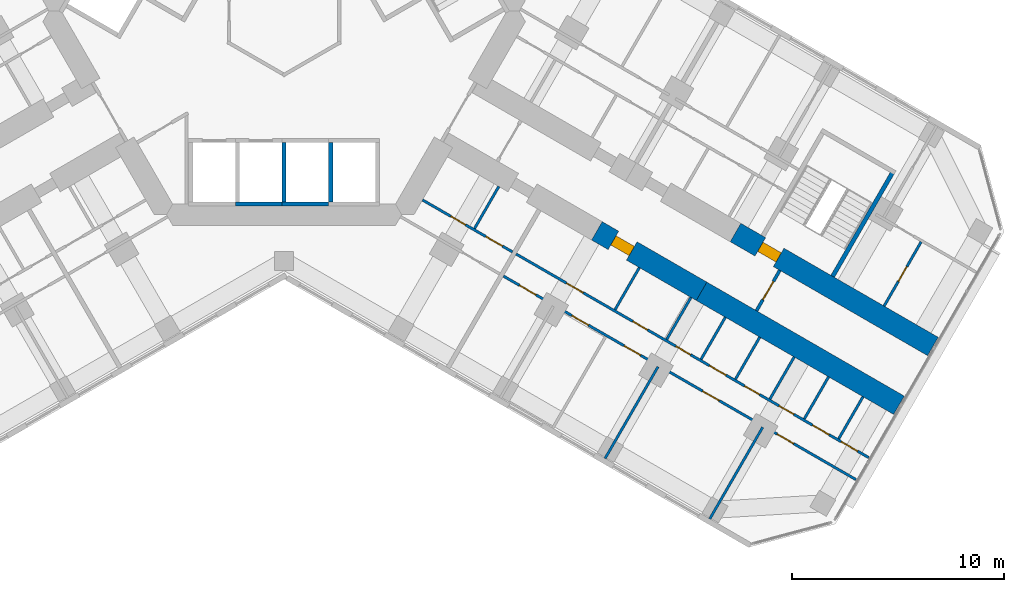
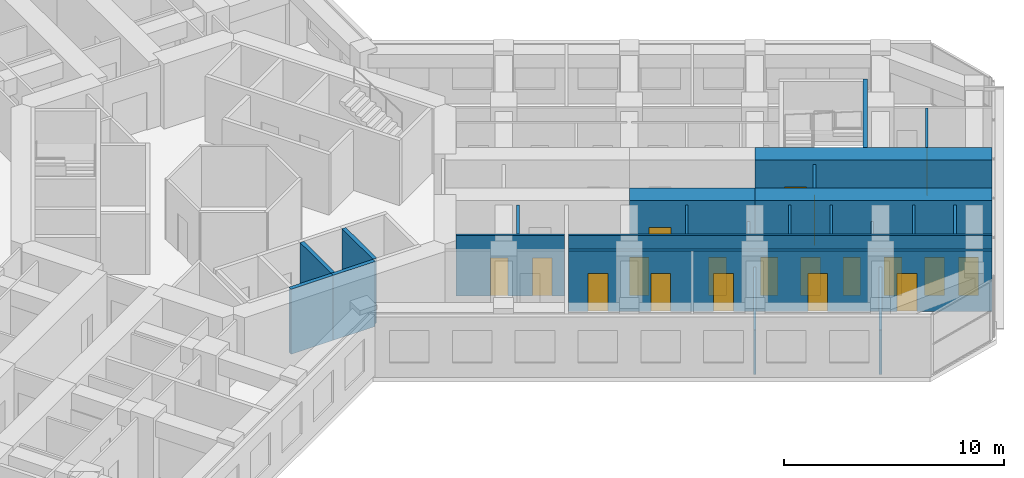
# One storey, part 14 of 21: 23 walls, 19 doors, 19 openings.
"""IFC4 building model written with IfcOpenShell, lengths in metres."""

import ifcopenshell
import ifcopenshell.guid

model = None  # the IFC model being written
_history = None  # IfcOwnerHistory: only IFC2X3 demands one
_inside = {}  # id of a spatial element -> (the spatial element, [elements in it])
_under = {}  # id of a project, library or spatial element -> (it, [spatial elements below it])
_declared = {}  # id of a project -> (the project, [libraries it declares])
_typed = {}  # id of a type object -> (the type object, [elements of that type])
_made_of = {}  # id of a material, layer set ... -> (it, [elements and type objects made of it])


def new_model(schema):
    """Start an empty IFC model of exactly this schema.

    Asked for "IFC4X3", IfcOpenShell would pick the latest addendum, in which some entities
    have other attributes; the version numbers below select the first issue.
    IFC2X3 requires an IfcOwnerHistory on every rooted entity: one is made here for all.
    """
    global model, _history
    if schema == "IFC4X3":
        model = ifcopenshell.file(schema_version=(4, 3, 0, 0))
    else:
        model = ifcopenshell.file(schema=schema)
    _inside.clear()
    _under.clear()
    _declared.clear()
    _typed.clear()
    _made_of.clear()
    _history = None
    if model.schema == "IFC2X3":
        org = make("IfcOrganization", Name="unknown")
        user = make(
            "IfcPersonAndOrganization",
            ThePerson=make("IfcPerson", FamilyName="unknown"),
            TheOrganization=org,
        )
        app = make(
            "IfcApplication",
            ApplicationDeveloper=org,
            Version="unknown",
            ApplicationFullName="unknown",
            ApplicationIdentifier="unknown",
        )
        _history = make(
            "IfcOwnerHistory",
            OwningUser=user,
            OwningApplication=app,
            ChangeAction="ADDED",
            CreationDate=0,
        )
    return model


def make(cls, **values):
    """One entity of the class cls with the attributes given. An attribute that is None is left unset."""
    return model.create_entity(
        cls, **{name: value for name, value in values.items() if value is not None}
    )


def rooted(cls, **values):
    """An entity with a GlobalId (a new one), such as an element, a storey or a relation."""
    return make(cls, GlobalId=ifcopenshell.guid.new(), OwnerHistory=_history, **values)


def si_unit(unit_type, name, prefix=None):
    """IfcSIUnit, for example si_unit("LENGTHUNIT", "METRE", prefix="MILLI")."""
    return make("IfcSIUnit", UnitType=unit_type, Prefix=prefix, Name=name)


def assignment(units):
    """IfcUnitAssignment: the units of a project."""
    return None if units is None else make("IfcUnitAssignment", Units=units)


def point(xyz):
    """IfcCartesianPoint."""
    return None if xyz is None else make("IfcCartesianPoint", Coordinates=xyz)


def direction(xyz):
    """IfcDirection."""
    return None if xyz is None else make("IfcDirection", DirectionRatios=xyz)


def frame(location, z_axis=None, x_axis=None):
    """IfcAxis2Placement3D, a coordinate frame: its origin and axes. An axis left out is left unset."""
    return make(
        "IfcAxis2Placement3D",
        Location=point(location),
        Axis=direction(z_axis),
        RefDirection=direction(x_axis),
    )


def frame_2d(location, x_axis=None):
    """IfcAxis2Placement2D, a coordinate frame in the plane: its origin and x axis."""
    return make(
        "IfcAxis2Placement2D", Location=point(location), RefDirection=direction(x_axis)
    )


def origin():
    """The frame at (0, 0, 0) with its axes left unset."""
    return frame((0.0, 0.0, 0.0))


def place(relative_to, where):
    """IfcLocalPlacement: puts the frame where relative to a parent placement (None: the world)."""
    return make(
        "IfcLocalPlacement", PlacementRelTo=relative_to, RelativePlacement=where
    )


def context(
    kind, dimensions, precision=None, world=None, true_north=None, identifier=None
):
    """IfcGeometricRepresentationContext, for example the 3D "Model" context."""
    return make(
        "IfcGeometricRepresentationContext",
        ContextIdentifier=identifier,
        ContextType=kind,
        CoordinateSpaceDimension=dimensions,
        Precision=precision,
        WorldCoordinateSystem=world,
        TrueNorth=true_north,
    )


def subcontext(parent, identifier, kind, view, scale=None):
    """IfcGeometricRepresentationSubContext, for example "Body" below "Model"."""
    return make(
        "IfcGeometricRepresentationSubContext",
        ContextIdentifier=identifier,
        ContextType=kind,
        ParentContext=parent,
        TargetScale=scale,
        TargetView=view,
    )


def project(units=None, contexts=None):
    """IfcProject with its units and contexts."""
    return rooted(
        "IfcProject",
        Name="project",
        RepresentationContexts=contexts,
        UnitsInContext=assignment(units),
    )


def spatial(cls, under=None, at=None, **own):
    """A site, building, storey or space (cls), placed at a placement, below another one or the project."""
    s = rooted(cls, ObjectPlacement=at, **own)
    if under is not None:
        _under.setdefault(under.id(), (under, []))[1].append(s)
    return s


def profile(cls, at=None, kind="AREA", **sizes):
    """A parametric profile (cls). Its sizes go by their IFC names, for example OverallWidth=200.0."""
    return make(cls, ProfileType=kind, Position=at, **sizes)


def rectangle(**sizes):
    """IfcRectangleProfileDef."""
    return profile("IfcRectangleProfileDef", **sizes)


def extrude(swept, where, along, depth):
    """IfcExtrudedAreaSolid: the profile swept, set in the frame where, extruded along a direction by depth."""
    return make(
        "IfcExtrudedAreaSolid",
        SweptArea=swept,
        Position=where,
        ExtrudedDirection=direction(along),
        Depth=depth,
    )


def shape(context_of_items, identifier, shape_type, items):
    """IfcShapeRepresentation: the items that make up one representation, for example the "Body"."""
    return make(
        "IfcShapeRepresentation",
        ContextOfItems=context_of_items,
        RepresentationIdentifier=identifier,
        RepresentationType=shape_type,
        Items=items,
    )


def material(Name=None, Category=None):
    """IfcMaterial."""
    return make("IfcMaterial", Name=Name, Category=Category)


def layer(
    of_material, thickness, ventilated=None, Name=None, Category=None, Priority=None
):
    """IfcMaterialLayer: one layer of a wall or slab, of a material (None: an air gap)."""
    return make(
        "IfcMaterialLayer",
        Material=of_material,
        LayerThickness=thickness,
        IsVentilated=ventilated,
        Name=Name,
        Category=Category,
        Priority=Priority,
    )


def layer_set(layers, Name=None):
    """IfcMaterialLayerSet."""
    return make("IfcMaterialLayerSet", MaterialLayers=layers, LayerSetName=Name)


def made_of(thing, what):
    """Note that an element or type object is made of a material, layer set ...; save() writes the relation."""
    if what is not None:
        _made_of.setdefault(what.id(), (what, []))[1].append(thing)
    return thing


def type_object(cls, material=None, **own):
    """A type object (cls), such as IfcWallType, which elements share."""
    return made_of(rooted(cls, **own), material)


def element(
    cls,
    number,
    at=None,
    inside=None,
    cuts=None,
    type_object=None,
    material=None,
    context=None,
    identifier="Body",
    shape_type=None,
    held_by="IfcProductDefinitionShape",
    body=None,
    shapes=None,
    **own,
):
    """One element of the class cls, such as IfcWall. Its Tag is "e" and its number.

    at: its placement. inside: the storey or other place that contains it. cuts: it is an
    opening in that element (IfcRelVoidsElement). A single representation is given by context,
    identifier, shape_type and body (its items); several are given by shapes. held_by: the class
    of the entity that holds the representations. save() writes the other relations.
    """
    e = rooted(cls, Tag="e%d" % number, ObjectPlacement=at, **own)
    if body is not None:
        shapes = [shape(context, identifier, shape_type, body)]
    if shapes is not None:
        e.Representation = make(held_by, Representations=shapes)
    if inside is not None:
        _inside.setdefault(inside.id(), (inside, []))[1].append(e)
    if cuts is not None:
        rooted(
            "IfcRelVoidsElement", RelatingBuildingElement=cuts, RelatedOpeningElement=e
        )
    if type_object is not None:
        _typed.setdefault(type_object.id(), (type_object, []))[1].append(e)
    return made_of(e, material)


def fill(opening, filler):
    """IfcRelFillsElement: the door or window that sits in an opening."""
    return rooted(
        "IfcRelFillsElement",
        RelatingOpeningElement=opening,
        RelatedBuildingElement=filler,
    )


def aggregate(whole, parts):
    """IfcRelAggregates: a whole, such as a stair, and the parts it consists of."""
    return rooted("IfcRelAggregates", RelatingObject=whole, RelatedObjects=parts)


def save(model, path):
    """Write the relations noted so far, then the file.

    IfcRelAggregates (storeys below a building ...), IfcRelContainedInSpatialStructure (elements
    in a storey), IfcRelDefinesByType, IfcRelAssociatesMaterial and IfcRelDeclares: one each for
    every whole, place, type object, material and project.
    """
    for whole, parts in _under.values():
        aggregate(whole, parts)
    for where, things in _inside.values():
        rooted(
            "IfcRelContainedInSpatialStructure",
            RelatedElements=things,
            RelatingStructure=where,
        )
    for kind, things in _typed.values():
        rooted("IfcRelDefinesByType", RelatedObjects=things, RelatingType=kind)
    for what, things in _made_of.values():
        rooted("IfcRelAssociatesMaterial", RelatedObjects=things, RelatingMaterial=what)
    for by, libraries in _declared.values():
        rooted("IfcRelDeclares", RelatingContext=by, RelatedDefinitions=libraries)
    model.write(path)


model = new_model("IFC4")

# Units and contexts
model_context = context("Model", 3, precision=1e-05, world=origin(), true_north=direction((0.0, 1.0)))
body_context = subcontext(model_context, "Body", "Model", "MODEL_VIEW")
ifc_project = project(units=[si_unit("LENGTHUNIT", "METRE"), si_unit("AREAUNIT", "SQUARE_METRE"), si_unit("VOLUMEUNIT", "CUBIC_METRE"), si_unit("PLANEANGLEUNIT", "RADIAN"), si_unit("MASSUNIT", "GRAM", prefix="KILO")], contexts=[model_context])

# Site, building, storey
site_placement = place(None, origin())
site = spatial("IfcSite", under=ifc_project, at=site_placement, CompositionType="ELEMENT")
building_placement = place(site_placement, origin())
building = spatial("IfcBuilding", under=site, at=building_placement, Name="Kosmar Iwan School Tower", CompositionType="ELEMENT")
storey_placement = place(building_placement, frame((0.0, 0.0, 84.39990234375)))
storey = spatial("IfcBuildingStorey", under=building, at=storey_placement, Name="L20", CompositionType="ELEMENT", Elevation=84.39990234375)

# Wall, opening, door
ifc_material_1 = material(Name="Concrete C50/60", Category="concrete")
ifc_layer_1 = layer(ifc_material_1, 1.0)
ifc_layer_set_1 = layer_set([ifc_layer_1], Name="Corridor buttress wall 1000")
wall_type_1 = type_object("IfcWallType", Name="Corridor buttress wall 1000", PredefinedType="SHEAR", material=ifc_layer_set_1)
wall_1_placement = place(storey_placement, frame((21.281494140625, -10.439453125, 0.0), z_axis=(0.0, 0.0, 1.0), x_axis=(0.866032345022, -0.499987977232, 0.0)))
wall_1 = element("IfcWall", 1, at=wall_1_placement, inside=storey, type_object=wall_type_1, Name="Corridor wall CL bay 3", PredefinedType="SHEAR", context=body_context, shape_type="SweptSolid", body=[
    extrude(rectangle(XDim=10.744873046875, YDim=1.0, at=frame_2d((5.37255859375, 0.0))), origin(), (0.0, 0.0, 1.0), 3.60009765625),
])
opening_1_placement = place(wall_1_placement, frame((1.35009765625, 0.0, 0.0)))
opening_1 = element("IfcOpeningElement", 2, at=opening_1_placement, cuts=wall_1, Name="Opening D6", PredefinedType="OPENING", context=body_context, shape_type="SweptSolid", body=[
    extrude(rectangle(XDim=1.0, YDim=2.10009765625, at=frame_2d((0.5, 1.050048828125))), frame((0.0, 0.511962890625, 0.0), z_axis=(0.0, -1.0, 0.0), x_axis=(1.0, 0.0, 0.0)), (0.0, 0.0, 1.0), 1.02392578125),
])
ifc_material_2 = material(Name="Steel fire door", Category="steel")
door_type_1 = type_object("IfcDoorType", Name="Stair door 1000x2100", OperationType="SINGLE_SWING_LEFT", PredefinedType="DOOR", material=ifc_material_2)
door_1_placement = place(opening_1_placement, origin())
door_1 = element("IfcDoor", 3, at=door_1_placement, inside=storey, type_object=door_type_1, Name="Stair WS3 door L20", OperationType="SINGLE_SWING_LEFT", OverallHeight=2.10009765625, OverallWidth=1.0, PredefinedType="DOOR", context=body_context, shape_type="SweptSolid", body=[
    extrude(rectangle(XDim=1.0, YDim=2.10009765625, at=frame_2d((0.5, 1.050048828125))), frame((0.0, 0.25, 0.0), z_axis=(0.0, -1.0, 0.0), x_axis=(1.0, 0.0, 0.0)), (0.0, 0.0, 1.0), 0.5),
])
fill(opening_1, door_1)

wall_2_placement = place(storey_placement, frame((14.7451171875, -10.360595703125, 0.0), z_axis=(0.0, 0.0, 1.0), x_axis=(0.866015111908, -0.50001782563, 0.0)))
wall_2 = element("IfcWall", 4, at=wall_2_placement, inside=storey, type_object=wall_type_1, Name="Corridor wall CR bay 2", PredefinedType="SHEAR", context=body_context, shape_type="SweptSolid", body=[
    extrude(rectangle(XDim=5.699951171875, YDim=1.0, at=frame_2d((2.85009765625, 0.0))), origin(), (0.0, 0.0, 1.0), 3.60009765625),
])
opening_2_placement = place(wall_2_placement, frame((0.89990234375, 0.0, 0.0)))
opening_2 = element("IfcOpeningElement", 5, at=opening_2_placement, cuts=wall_2, Name="Opening D1", PredefinedType="OPENING", context=body_context, shape_type="SweptSolid", body=[
    extrude(rectangle(XDim=1.0, YDim=2.10009765625, at=frame_2d((0.5, 1.050048828125))), frame((0.0, 0.511962890625, 0.0), z_axis=(0.0, -1.0, 0.0), x_axis=(1.0, 0.0, 0.0)), (0.0, 0.0, 1.0), 1.02392578125),
])
ifc_material_3 = material(Name="Timber fire door in steel frame", Category="steel")
door_type_2 = type_object("IfcDoorType", Name="Flat entrance door 1000x2100", OperationType="SINGLE_SWING_LEFT", PredefinedType="DOOR", material=ifc_material_3)
door_2_placement = place(opening_2_placement, origin())
door_2 = element("IfcDoor", 6, at=door_2_placement, inside=storey, type_object=door_type_2, Name="Flat L20-CR2 entrance door", OperationType="SINGLE_SWING_LEFT", OverallHeight=2.10009765625, OverallWidth=1.0, PredefinedType="DOOR", context=body_context, shape_type="SweptSolid", body=[
    extrude(rectangle(XDim=1.0, YDim=2.10009765625, at=frame_2d((0.5, 1.050048828125))), frame((0.0, 0.25, 0.0), z_axis=(0.0, -1.0, 0.0), x_axis=(1.0, 0.0, 0.0)), (0.0, 0.0, 1.0), 0.5),
])
fill(opening_2, door_2)

# Wall
wall_3_placement = place(storey_placement, frame((19.681396484375, -13.210693359375, 0.0), z_axis=(0.0, 0.0, 1.0), x_axis=(0.866028186671, -0.499995179869, 0.0)))
element("IfcWall", 7, at=wall_3_placement, inside=storey, type_object=wall_type_1, Name="Corridor wall CR bay 3", PredefinedType="SHEAR", context=body_context, shape_type="SweptSolid", body=[
    extrude(rectangle(XDim=10.7451171875, YDim=1.0, at=frame_2d((5.37255859375, 0.0))), origin(), (0.0, 0.0, 1.0), 3.60009765625),
])

# Wall, opening, door
ifc_material_4 = material(Name="Gypsum board on steel studs, fire-rated", Category="steel")
ifc_layer_2 = layer(ifc_material_4, 0.14990234375)
ifc_layer_set_2 = layer_set([ifc_layer_2], Name="Corridor end wall 150")
wall_type_2 = type_object("IfcWallType", Name="Corridor end wall 150", PredefinedType="PARTITIONING", material=ifc_layer_set_2)
wall_4_placement = place(storey_placement, frame((22.269775390625, -14.127685546875, 0.0), z_axis=(0.0, 0.0, 1.0), x_axis=(0.50002983664, 0.866008176907, 0.0)))
wall_4 = element("IfcWall", 8, at=wall_4_placement, inside=storey, type_object=wall_type_2, Name="Partition L20-C-CE", PredefinedType="PARTITIONING", context=body_context, shape_type="SweptSolid", body=[
    extrude(rectangle(XDim=2.199951171875, YDim=0.14990234375, at=frame_2d((1.10009765625, 0.0))), origin(), (0.0, 0.0, 1.0), 3.35009765625),
])
opening_3_placement = place(wall_4_placement, frame((0.60009765625, 0.0, 0.0)))
opening_3 = element("IfcOpeningElement", 9, at=opening_3_placement, cuts=wall_4, Name="Opening D13", PredefinedType="OPENING", context=body_context, shape_type="SweptSolid", body=[
    extrude(rectangle(XDim=1.0, YDim=2.10009765625, at=frame_2d((0.5, 1.050048828125))), frame((0.0, 0.0869140625, 0.0), z_axis=(0.0, -1.0, 0.0), x_axis=(1.0, 0.0, 0.0)), (0.0, 0.0, 1.0), 0.173828125),
])
ifc_material_5 = material(Name="Timber fire door with vision panel", Category="wood")
door_type_3 = type_object("IfcDoorType", Name="Corridor end door 1000x2100", OperationType="SINGLE_SWING_LEFT", PredefinedType="DOOR", material=ifc_material_5)
door_3_placement = place(opening_3_placement, origin())
door_3 = element("IfcDoor", 10, at=door_3_placement, inside=storey, type_object=door_type_3, Name="Hobby workshop door L20-C", OperationType="SINGLE_SWING_LEFT", OverallHeight=2.10009765625, OverallWidth=1.0, PredefinedType="DOOR", context=body_context, shape_type="SweptSolid", body=[
    extrude(rectangle(XDim=1.0, YDim=2.10009765625, at=frame_2d((0.5, 1.050048828125))), frame((0.0, 0.02490234375, 0.0), z_axis=(0.0, -1.0, 0.0), x_axis=(1.0, 0.0, 0.0)), (0.0, 0.0, 1.0), 0.050048828125),
])
fill(opening_3, door_3)

ifc_material_6 = material(Name="Gypsum board on steel studs", Category="steel")
ifc_layer_3 = layer(ifc_material_6, 0.1201171875)
ifc_layer_set_3 = layer_set([ifc_layer_3], Name="Dwelling partition 120")
wall_type_3 = type_object("IfcWallType", Name="Dwelling partition 120", PredefinedType="PARTITIONING", material=ifc_layer_set_3)
wall_5_placement = place(storey_placement, frame((28.286376953125, -13.90625, 0.0), z_axis=(0.0, 0.0, 1.0), x_axis=(0.50002117804, 0.866013176292, 0.0)))
wall_5 = element("IfcWall", 11, at=wall_5_placement, inside=storey, type_object=wall_type_3, Name="Partition L20-CL2-TY", PredefinedType="PARTITIONING", context=body_context, shape_type="SweptSolid", body=[
    extrude(rectangle(XDim=3.489990234375, YDim=0.1201171875, at=frame_2d((1.7451171875, 0.0))), origin(), (0.0, 0.0, 1.0), 3.35009765625),
])
opening_4_placement = place(wall_5_placement, frame((1.344970703125, 0.0, 0.0)))
opening_4 = element("IfcOpeningElement", 12, at=opening_4_placement, cuts=wall_5, Name="Opening D3", PredefinedType="OPENING", context=body_context, shape_type="SweptSolid", body=[
    extrude(rectangle(XDim=0.800048828125, YDim=2.10009765625, at=frame_2d((0.39990234375, 1.050048828125))), frame((0.0, 0.072021484375, 0.0), z_axis=(0.0, -1.0, 0.0), x_axis=(1.0, 0.0, 0.0)), (0.0, 0.0, 1.0), 0.14404296875),
])
ifc_material_7 = material(Name="Timber door in timber frame", Category="wood")
door_type_4 = type_object("IfcDoorType", Name="Sanitary room door 800x2100", OperationType="SINGLE_SWING_LEFT", PredefinedType="DOOR", material=ifc_material_7)
door_4_placement = place(opening_4_placement, origin())
door_4 = element("IfcDoor", 13, at=door_4_placement, inside=storey, type_object=door_type_4, Name="Shower room door L20-CL2-T4", OperationType="SINGLE_SWING_RIGHT", OverallHeight=2.10009765625, OverallWidth=0.800048828125, PredefinedType="DOOR", context=body_context, shape_type="SweptSolid", body=[
    extrude(rectangle(XDim=0.800048828125, YDim=2.10009765625, at=frame_2d((0.39990234375, 1.050048828125))), frame((0.0, 0.02490234375, 0.0), z_axis=(0.0, -1.0, 0.0), x_axis=(1.0, 0.0, 0.0)), (0.0, 0.0, 1.0), 0.050048828125),
])
fill(opening_4, door_4)

# Wall, openings, doors
wall_6_placement = place(storey_placement, frame((6.521728515625, -8.90380859375, 0.0), z_axis=(0.0, 0.0, 1.0), x_axis=(0.866036242063, -0.49998122708, 0.0)))
wall_6 = element("IfcWall", 14, at=wall_6_placement, inside=storey, type_object=wall_type_3, Name="Partition L20-CR1-W1", PredefinedType="PARTITIONING", context=body_context, shape_type="SweptSolid", body=[
    extrude(rectangle(XDim=4.900146484375, YDim=0.1201171875, at=frame_2d((2.4501953125, 0.0))), origin(), (0.0, 0.0, 1.0), 3.35009765625),
])
opening_5_placement = place(wall_6_placement, frame((1.550048828125, 0.0, 0.0)))
opening_5 = element("IfcOpeningElement", 15, at=opening_5_placement, cuts=wall_6, Name="Opening D3", PredefinedType="OPENING", context=body_context, shape_type="SweptSolid", body=[
    extrude(rectangle(XDim=0.800048828125, YDim=2.10009765625, at=frame_2d((0.39990234375, 1.050048828125))), frame((0.0, 0.072021484375, 0.0), z_axis=(0.0, -1.0, 0.0), x_axis=(1.0, 0.0, 0.0)), (0.0, 0.0, 1.0), 0.14404296875),
])
opening_6_placement = place(wall_6_placement, frame((3.449951171875, 0.0, 0.0)))
opening_6 = element("IfcOpeningElement", 16, at=opening_6_placement, cuts=wall_6, Name="Opening D2", PredefinedType="OPENING", context=body_context, shape_type="SweptSolid", body=[
    extrude(rectangle(XDim=0.89990234375, YDim=2.10009765625, at=frame_2d((0.449951171875, 1.050048828125))), frame((0.0, 0.072021484375, 0.0), z_axis=(0.0, -1.0, 0.0), x_axis=(1.0, 0.0, 0.0)), (0.0, 0.0, 1.0), 0.14404296875),
])
ifc_material_8 = material(Name="Timber door in timber frame", Category="wood")
door_type_5 = type_object("IfcDoorType", Name="Internal door 900x2100", OperationType="SINGLE_SWING_LEFT", PredefinedType="DOOR", material=ifc_material_8)
door_5_placement = place(opening_6_placement, origin())
door_5 = element("IfcDoor", 17, at=door_5_placement, inside=storey, type_object=door_type_5, Name="Entrance hall door L20-CR1-S2", OperationType="SINGLE_SWING_RIGHT", OverallHeight=2.10009765625, OverallWidth=0.89990234375, PredefinedType="DOOR", context=body_context, shape_type="SweptSolid", body=[
    extrude(rectangle(XDim=0.89990234375, YDim=2.10009765625, at=frame_2d((0.449951171875, 1.050048828125))), frame((0.0, 0.02490234375, 0.0), z_axis=(0.0, -1.0, 0.0), x_axis=(1.0, 0.0, 0.0)), (0.0, 0.0, 1.0), 0.050048828125),
])
fill(opening_6, door_5)
door_6_placement = place(opening_5_placement, origin())
door_6 = element("IfcDoor", 18, at=door_6_placement, inside=storey, type_object=door_type_4, Name="Bathroom door L20-CR1-S1", OperationType="SINGLE_SWING_RIGHT", OverallHeight=2.10009765625, OverallWidth=0.800048828125, PredefinedType="DOOR", context=body_context, shape_type="SweptSolid", body=[
    extrude(rectangle(XDim=0.800048828125, YDim=2.10009765625, at=frame_2d((0.39990234375, 1.050048828125))), frame((0.0, 0.02490234375, 0.0), z_axis=(0.0, -1.0, 0.0), x_axis=(1.0, 0.0, 0.0)), (0.0, 0.0, 1.0), 0.050048828125),
])
fill(opening_5, door_6)

# Wall
wall_7_placement = place(storey_placement, frame((10.121826171875, -8.2685546875, 0.0), z_axis=(0.0, 0.0, 1.0), x_axis=(-0.499968531483, -0.866043571379, 0.0)))
element("IfcWall", 19, at=wall_7_placement, inside=storey, type_object=wall_type_3, Name="Partition L20-CR1-Y1", PredefinedType="PARTITIONING", context=body_context, shape_type="SweptSolid", body=[
    extrude(rectangle(XDim=2.290283203125, YDim=0.1201171875, at=frame_2d((1.14501953125, 0.0))), origin(), (0.0, 0.0, 1.0), 3.35009765625),
])

# Wall, openings, doors
wall_8_placement = place(storey_placement, frame((10.9384765625, -11.453857421875, 0.0), z_axis=(0.0, 0.0, 1.0), x_axis=(0.866029698618, -0.499992561057, 0.0)))
wall_8 = element("IfcWall", 20, at=wall_8_placement, inside=storey, type_object=wall_type_3, Name="Partition L20-CR2-W1", PredefinedType="PARTITIONING", context=body_context, shape_type="SweptSolid", body=[
    extrude(rectangle(XDim=19.195068359375, YDim=0.1201171875, at=frame_2d((9.59765625, 0.0))), origin(), (0.0, 0.0, 1.0), 3.35009765625),
])
opening_7_placement = place(wall_8_placement, frame((2.75, 0.0, 0.0)))
opening_7 = element("IfcOpeningElement", 21, at=opening_7_placement, cuts=wall_8, Name="Opening D2", PredefinedType="OPENING", context=body_context, shape_type="SweptSolid", body=[
    extrude(rectangle(XDim=0.89990234375, YDim=2.10009765625, at=frame_2d((0.449951171875, 1.050048828125))), frame((0.0, 0.072021484375, 0.0), z_axis=(0.0, -1.0, 0.0), x_axis=(1.0, 0.0, 0.0)), (0.0, 0.0, 1.0), 0.14404296875),
])
opening_8_placement = place(wall_8_placement, frame((6.35498046875, 0.0, 0.0)))
opening_8 = element("IfcOpeningElement", 22, at=opening_8_placement, cuts=wall_8, Name="Opening D3", PredefinedType="OPENING", context=body_context, shape_type="SweptSolid", body=[
    extrude(rectangle(XDim=0.800048828125, YDim=2.10009765625, at=frame_2d((0.39990234375, 1.050048828125))), frame((0.0, 0.072021484375, 0.0), z_axis=(0.0, -1.0, 0.0), x_axis=(1.0, 0.0, 0.0)), (0.0, 0.0, 1.0), 0.14404296875),
])
opening_9_placement = place(wall_8_placement, frame((8.69677734375, 0.0, 0.0)))
opening_9 = element("IfcOpeningElement", 23, at=opening_9_placement, cuts=wall_8, Name="Opening D3", PredefinedType="OPENING", context=body_context, shape_type="SweptSolid", body=[
    extrude(rectangle(XDim=0.800048828125, YDim=2.10009765625, at=frame_2d((0.39990234375, 1.050048828125))), frame((0.0, 0.072021484375, 0.0), z_axis=(0.0, -1.0, 0.0), x_axis=(1.0, 0.0, 0.0)), (0.0, 0.0, 1.0), 0.14404296875),
])
opening_10_placement = place(wall_8_placement, frame((10.52001953125, 0.0, 0.0)))
opening_10 = element("IfcOpeningElement", 24, at=opening_10_placement, cuts=wall_8, Name="Opening D2", PredefinedType="OPENING", context=body_context, shape_type="SweptSolid", body=[
    extrude(rectangle(XDim=0.89990234375, YDim=2.10009765625, at=frame_2d((0.449951171875, 1.050048828125))), frame((0.0, 0.072021484375, 0.0), z_axis=(0.0, -1.0, 0.0), x_axis=(1.0, 0.0, 0.0)), (0.0, 0.0, 1.0), 0.14404296875),
])
opening_11_placement = place(wall_8_placement, frame((12.443359375, 0.0, 0.0)))
opening_11 = element("IfcOpeningElement", 25, at=opening_11_placement, cuts=wall_8, Name="Opening D3", PredefinedType="OPENING", context=body_context, shape_type="SweptSolid", body=[
    extrude(rectangle(XDim=0.800048828125, YDim=2.10009765625, at=frame_2d((0.39990234375, 1.050048828125))), frame((0.0, 0.072021484375, 0.0), z_axis=(0.0, -1.0, 0.0), x_axis=(1.0, 0.0, 0.0)), (0.0, 0.0, 1.0), 0.14404296875),
])
opening_12_placement = place(wall_8_placement, frame((14.316650390625, 0.0, 0.0)))
opening_12 = element("IfcOpeningElement", 26, at=opening_12_placement, cuts=wall_8, Name="Opening D3", PredefinedType="OPENING", context=body_context, shape_type="SweptSolid", body=[
    extrude(rectangle(XDim=0.800048828125, YDim=2.10009765625, at=frame_2d((0.39990234375, 1.050048828125))), frame((0.0, 0.072021484375, 0.0), z_axis=(0.0, -1.0, 0.0), x_axis=(1.0, 0.0, 0.0)), (0.0, 0.0, 1.0), 0.14404296875),
])
opening_13_placement = place(wall_8_placement, frame((16.139892578125, 0.0, 0.0)))
opening_13 = element("IfcOpeningElement", 27, at=opening_13_placement, cuts=wall_8, Name="Opening D2", PredefinedType="OPENING", context=body_context, shape_type="SweptSolid", body=[
    extrude(rectangle(XDim=0.89990234375, YDim=2.10009765625, at=frame_2d((0.449951171875, 1.050048828125))), frame((0.0, 0.072021484375, 0.0), z_axis=(0.0, -1.0, 0.0), x_axis=(1.0, 0.0, 0.0)), (0.0, 0.0, 1.0), 0.14404296875),
])
opening_14_placement = place(wall_8_placement, frame((17.686767578125, 0.0, 0.0)))
opening_14 = element("IfcOpeningElement", 28, at=opening_14_placement, cuts=wall_8, Name="Opening D2", PredefinedType="OPENING", context=body_context, shape_type="SweptSolid", body=[
    extrude(rectangle(XDim=0.89990234375, YDim=2.10009765625, at=frame_2d((0.449951171875, 1.050048828125))), frame((0.0, 0.072021484375, 0.0), z_axis=(0.0, -1.0, 0.0), x_axis=(1.0, 0.0, 0.0)), (0.0, 0.0, 1.0), 0.14404296875),
])
door_7_placement = place(opening_7_placement, origin())
door_7 = element("IfcDoor", 29, at=door_7_placement, inside=storey, type_object=door_type_5, Name="Entrance hall door L20-CR2-S1", OperationType="SINGLE_SWING_RIGHT", OverallHeight=2.10009765625, OverallWidth=0.89990234375, PredefinedType="DOOR", context=body_context, shape_type="SweptSolid", body=[
    extrude(rectangle(XDim=0.89990234375, YDim=2.10009765625, at=frame_2d((0.449951171875, 1.050048828125))), frame((0.0, 0.02490234375, 0.0), z_axis=(0.0, -1.0, 0.0), x_axis=(1.0, 0.0, 0.0)), (0.0, 0.0, 1.0), 0.050048828125),
])
fill(opening_7, door_7)
door_8_placement = place(opening_10_placement, origin())
door_8 = element("IfcDoor", 30, at=door_8_placement, inside=storey, type_object=door_type_5, Name="Pantry door L20-CR2-S4", OperationType="SINGLE_SWING_RIGHT", OverallHeight=2.10009765625, OverallWidth=0.89990234375, PredefinedType="DOOR", context=body_context, shape_type="SweptSolid", body=[
    extrude(rectangle(XDim=0.89990234375, YDim=2.10009765625, at=frame_2d((0.449951171875, 1.050048828125))), frame((0.0, 0.02490234375, 0.0), z_axis=(0.0, -1.0, 0.0), x_axis=(1.0, 0.0, 0.0)), (0.0, 0.0, 1.0), 0.050048828125),
])
fill(opening_10, door_8)
door_9_placement = place(opening_13_placement, origin())
door_9 = element("IfcDoor", 31, at=door_9_placement, inside=storey, type_object=door_type_5, Name="Utility room door L20-CR2-S7", OperationType="SINGLE_SWING_LEFT", OverallHeight=2.10009765625, OverallWidth=0.89990234375, PredefinedType="DOOR", context=body_context, shape_type="SweptSolid", body=[
    extrude(rectangle(XDim=0.89990234375, YDim=2.10009765625, at=frame_2d((0.449951171875, 1.050048828125))), frame((0.0, 0.02490234375, 0.0), z_axis=(0.0, -1.0, 0.0), x_axis=(1.0, 0.0, 0.0)), (0.0, 0.0, 1.0), 0.050048828125),
])
fill(opening_13, door_9)
door_10_placement = place(opening_14_placement, origin())
door_10 = element("IfcDoor", 32, at=door_10_placement, inside=storey, type_object=door_type_5, Name="Dressing room door L20-CR2-S8", OperationType="SINGLE_SWING_LEFT", OverallHeight=2.10009765625, OverallWidth=0.89990234375, PredefinedType="DOOR", context=body_context, shape_type="SweptSolid", body=[
    extrude(rectangle(XDim=0.89990234375, YDim=2.10009765625, at=frame_2d((0.449951171875, 1.050048828125))), frame((0.0, 0.02490234375, 0.0), z_axis=(0.0, -1.0, 0.0), x_axis=(1.0, 0.0, 0.0)), (0.0, 0.0, 1.0), 0.050048828125),
])
fill(opening_14, door_10)
door_11_placement = place(opening_8_placement, origin())
door_11 = element("IfcDoor", 33, at=door_11_placement, inside=storey, type_object=door_type_4, Name="Bathroom door L20-CR2-S2", OperationType="SINGLE_SWING_RIGHT", OverallHeight=2.10009765625, OverallWidth=0.800048828125, PredefinedType="DOOR", context=body_context, shape_type="SweptSolid", body=[
    extrude(rectangle(XDim=0.800048828125, YDim=2.10009765625, at=frame_2d((0.39990234375, 1.050048828125))), frame((0.0, 0.02490234375, 0.0), z_axis=(0.0, -1.0, 0.0), x_axis=(1.0, 0.0, 0.0)), (0.0, 0.0, 1.0), 0.050048828125),
])
fill(opening_8, door_11)
door_12_placement = place(opening_9_placement, origin())
door_12 = element("IfcDoor", 34, at=door_12_placement, inside=storey, type_object=door_type_4, Name="Shower room door L20-CR2-S3", OperationType="SINGLE_SWING_LEFT", OverallHeight=2.10009765625, OverallWidth=0.800048828125, PredefinedType="DOOR", context=body_context, shape_type="SweptSolid", body=[
    extrude(rectangle(XDim=0.800048828125, YDim=2.10009765625, at=frame_2d((0.39990234375, 1.050048828125))), frame((0.0, 0.02490234375, 0.0), z_axis=(0.0, -1.0, 0.0), x_axis=(1.0, 0.0, 0.0)), (0.0, 0.0, 1.0), 0.050048828125),
])
fill(opening_9, door_12)
door_13_placement = place(opening_11_placement, origin())
door_13 = element("IfcDoor", 35, at=door_13_placement, inside=storey, type_object=door_type_4, Name="WC door L20-CR2-S5", OperationType="SINGLE_SWING_LEFT", OverallHeight=2.10009765625, OverallWidth=0.800048828125, PredefinedType="DOOR", context=body_context, shape_type="SweptSolid", body=[
    extrude(rectangle(XDim=0.800048828125, YDim=2.10009765625, at=frame_2d((0.39990234375, 1.050048828125))), frame((0.0, 0.02490234375, 0.0), z_axis=(0.0, -1.0, 0.0), x_axis=(1.0, 0.0, 0.0)), (0.0, 0.0, 1.0), 0.050048828125),
])
fill(opening_11, door_13)
door_14_placement = place(opening_12_placement, origin())
door_14 = element("IfcDoor", 36, at=door_14_placement, inside=storey, type_object=door_type_4, Name="Store door L20-CR2-S6", OperationType="SINGLE_SWING_RIGHT", OverallHeight=2.10009765625, OverallWidth=0.800048828125, PredefinedType="DOOR", context=body_context, shape_type="SweptSolid", body=[
    extrude(rectangle(XDim=0.800048828125, YDim=2.10009765625, at=frame_2d((0.39990234375, 1.050048828125))), frame((0.0, 0.02490234375, 0.0), z_axis=(0.0, -1.0, 0.0), x_axis=(1.0, 0.0, 0.0)), (0.0, 0.0, 1.0), 0.050048828125),
])
fill(opening_12, door_14)

wall_9_placement = place(storey_placement, frame((10.338623046875, -12.492919921875, 0.0), z_axis=(0.0, 0.0, 1.0), x_axis=(0.866021011428, -0.500007607708, 0.0)))
wall_9 = element("IfcWall", 37, at=wall_9_placement, inside=storey, type_object=wall_type_3, Name="Partition L20-CR2-W2", PredefinedType="PARTITIONING", context=body_context, shape_type="SweptSolid", body=[
    extrude(rectangle(XDim=19.195068359375, YDim=0.1201171875, at=frame_2d((9.59765625, 0.0))), origin(), (0.0, 0.0, 1.0), 3.35009765625),
])
opening_15_placement = place(wall_9_placement, frame((0.875, 0.0, 0.0)))
opening_15 = element("IfcOpeningElement", 38, at=opening_15_placement, cuts=wall_9, Name="Opening D2", PredefinedType="OPENING", context=body_context, shape_type="SweptSolid", body=[
    extrude(rectangle(XDim=0.89990234375, YDim=2.10009765625, at=frame_2d((0.449951171875, 1.050048828125))), frame((0.0, 0.072021484375, 0.0), z_axis=(0.0, -1.0, 0.0), x_axis=(1.0, 0.0, 0.0)), (0.0, 0.0, 1.0), 0.14404296875),
])
opening_16_placement = place(wall_9_placement, frame((3.72509765625, 0.0, 0.0)))
opening_16 = element("IfcOpeningElement", 39, at=opening_16_placement, cuts=wall_9, Name="Opening D2", PredefinedType="OPENING", context=body_context, shape_type="SweptSolid", body=[
    extrude(rectangle(XDim=0.89990234375, YDim=2.10009765625, at=frame_2d((0.449951171875, 1.050048828125))), frame((0.0, 0.072021484375, 0.0), z_axis=(0.0, -1.0, 0.0), x_axis=(1.0, 0.0, 0.0)), (0.0, 0.0, 1.0), 0.14404296875),
])
opening_17_placement = place(wall_9_placement, frame((6.574951171875, 0.0, 0.0)))
opening_17 = element("IfcOpeningElement", 40, at=opening_17_placement, cuts=wall_9, Name="Opening D2", PredefinedType="OPENING", context=body_context, shape_type="SweptSolid", body=[
    extrude(rectangle(XDim=0.89990234375, YDim=2.10009765625, at=frame_2d((0.449951171875, 1.050048828125))), frame((0.0, 0.072021484375, 0.0), z_axis=(0.0, -1.0, 0.0), x_axis=(1.0, 0.0, 0.0)), (0.0, 0.0, 1.0), 0.14404296875),
])
opening_18_placement = place(wall_9_placement, frame((10.85009765625, 0.0, 0.0)))
opening_18 = element("IfcOpeningElement", 41, at=opening_18_placement, cuts=wall_9, Name="Opening D2", PredefinedType="OPENING", context=body_context, shape_type="SweptSolid", body=[
    extrude(rectangle(XDim=0.89990234375, YDim=2.10009765625, at=frame_2d((0.449951171875, 1.050048828125))), frame((0.0, 0.072021484375, 0.0), z_axis=(0.0, -1.0, 0.0), x_axis=(1.0, 0.0, 0.0)), (0.0, 0.0, 1.0), 0.14404296875),
])
opening_19_placement = place(wall_9_placement, frame((14.89990234375, 0.0, 0.0)))
opening_19 = element("IfcOpeningElement", 42, at=opening_19_placement, cuts=wall_9, Name="Opening D2", PredefinedType="OPENING", context=body_context, shape_type="SweptSolid", body=[
    extrude(rectangle(XDim=0.89990234375, YDim=2.10009765625, at=frame_2d((0.449951171875, 1.050048828125))), frame((0.0, 0.072021484375, 0.0), z_axis=(0.0, -1.0, 0.0), x_axis=(1.0, 0.0, 0.0)), (0.0, 0.0, 1.0), 0.14404296875),
])
door_15_placement = place(opening_15_placement, origin())
door_15 = element("IfcDoor", 43, at=door_15_placement, inside=storey, type_object=door_type_5, Name="Bedroom 1 door L20-CR2-F1", OperationType="SINGLE_SWING_LEFT", OverallHeight=2.10009765625, OverallWidth=0.89990234375, PredefinedType="DOOR", context=body_context, shape_type="SweptSolid", body=[
    extrude(rectangle(XDim=0.89990234375, YDim=2.10009765625, at=frame_2d((0.449951171875, 1.050048828125))), frame((0.0, 0.02490234375, 0.0), z_axis=(0.0, -1.0, 0.0), x_axis=(1.0, 0.0, 0.0)), (0.0, 0.0, 1.0), 0.050048828125),
])
fill(opening_15, door_15)
door_16_placement = place(opening_16_placement, origin())
door_16 = element("IfcDoor", 44, at=door_16_placement, inside=storey, type_object=door_type_5, Name="Winter garden door L20-CR2-F2", OperationType="SINGLE_SWING_LEFT", OverallHeight=2.10009765625, OverallWidth=0.89990234375, PredefinedType="DOOR", context=body_context, shape_type="SweptSolid", body=[
    extrude(rectangle(XDim=0.89990234375, YDim=2.10009765625, at=frame_2d((0.449951171875, 1.050048828125))), frame((0.0, 0.02490234375, 0.0), z_axis=(0.0, -1.0, 0.0), x_axis=(1.0, 0.0, 0.0)), (0.0, 0.0, 1.0), 0.050048828125),
])
fill(opening_16, door_16)
door_17_placement = place(opening_17_placement, origin())
door_17 = element("IfcDoor", 45, at=door_17_placement, inside=storey, type_object=door_type_5, Name="Bedroom 2 door L20-CR2-F3", OperationType="SINGLE_SWING_LEFT", OverallHeight=2.10009765625, OverallWidth=0.89990234375, PredefinedType="DOOR", context=body_context, shape_type="SweptSolid", body=[
    extrude(rectangle(XDim=0.89990234375, YDim=2.10009765625, at=frame_2d((0.449951171875, 1.050048828125))), frame((0.0, 0.02490234375, 0.0), z_axis=(0.0, -1.0, 0.0), x_axis=(1.0, 0.0, 0.0)), (0.0, 0.0, 1.0), 0.050048828125),
])
fill(opening_17, door_17)
door_18_placement = place(opening_18_placement, origin())
door_18 = element("IfcDoor", 46, at=door_18_placement, inside=storey, type_object=door_type_5, Name="Living room and kitchen door L20-CR2-F4", OperationType="SINGLE_SWING_RIGHT", OverallHeight=2.10009765625, OverallWidth=0.89990234375, PredefinedType="DOOR", context=body_context, shape_type="SweptSolid", body=[
    extrude(rectangle(XDim=0.89990234375, YDim=2.10009765625, at=frame_2d((0.449951171875, 1.050048828125))), frame((0.0, 0.02490234375, 0.0), z_axis=(0.0, -1.0, 0.0), x_axis=(1.0, 0.0, 0.0)), (0.0, 0.0, 1.0), 0.050048828125),
])
fill(opening_18, door_18)
door_19_placement = place(opening_19_placement, origin())
door_19 = element("IfcDoor", 47, at=door_19_placement, inside=storey, type_object=door_type_5, Name="Bedroom 3 door L20-CR2-F5", OperationType="SINGLE_SWING_RIGHT", OverallHeight=2.10009765625, OverallWidth=0.89990234375, PredefinedType="DOOR", context=body_context, shape_type="SweptSolid", body=[
    extrude(rectangle(XDim=0.89990234375, YDim=2.10009765625, at=frame_2d((0.449951171875, 1.050048828125))), frame((0.0, 0.02490234375, 0.0), z_axis=(0.0, -1.0, 0.0), x_axis=(1.0, 0.0, 0.0)), (0.0, 0.0, 1.0), 0.050048828125),
])
fill(opening_19, door_19)

# Walls
wall_10_placement = place(storey_placement, frame((17.62646484375, -16.77001953125, 0.0), z_axis=(0.0, 0.0, 1.0), x_axis=(-0.499975153383, -0.86603974851, 0.0)))
element("IfcWall", 48, at=wall_10_placement, inside=storey, type_object=wall_type_3, Name="Partition L20-CR2-X3", PredefinedType="PARTITIONING", context=body_context, shape_type="SweptSolid", body=[
    extrude(rectangle(XDim=4.989990234375, YDim=0.1201171875, at=frame_2d((2.4951171875, 0.0))), origin(), (0.0, 0.0, 1.0), 2.4501953125),
])
wall_11_placement = place(storey_placement, frame((22.562744140625, -19.6201171875, 0.0), z_axis=(0.0, 0.0, 1.0), x_axis=(-0.499996339024, -0.86602751744, 0.0)))
element("IfcWall", 49, at=wall_11_placement, inside=storey, type_object=wall_type_3, Name="Partition L20-CR2-X4", PredefinedType="PARTITIONING", context=body_context, shape_type="SweptSolid", body=[
    extrude(rectangle(XDim=4.98974609375, YDim=0.1201171875, at=frame_2d((2.494873046875, 0.0))), origin(), (0.0, 0.0, 1.0), 2.4501953125),
])
wall_12_placement = place(storey_placement, frame((16.746826171875, -12.09375, 0.0), z_axis=(0.0, 0.0, 1.0), x_axis=(-0.500014693593, -0.866016920268, 0.0)))
element("IfcWall", 50, at=wall_12_placement, inside=storey, type_object=wall_type_3, Name="Partition L20-CR2-Y1", PredefinedType="PARTITIONING", context=body_context, shape_type="SweptSolid", body=[
    extrude(rectangle(XDim=2.2900390625, YDim=0.1201171875, at=frame_2d((1.14501953125, 0.0))), origin(), (0.0, 0.0, 1.0), 3.35009765625),
])
wall_13_placement = place(storey_placement, frame((19.180419921875, -13.49853515625, 0.0), z_axis=(0.0, 0.0, 1.0), x_axis=(-0.499968531483, -0.866043571379, 0.0)))
element("IfcWall", 51, at=wall_13_placement, inside=storey, type_object=wall_type_3, Name="Partition L20-CR2-Y2", PredefinedType="PARTITIONING", context=body_context, shape_type="SweptSolid", body=[
    extrude(rectangle(XDim=2.290283203125, YDim=0.1201171875, at=frame_2d((1.14501953125, 0.0))), origin(), (0.0, 0.0, 1.0), 2.4501953125),
])
for number, where, z_axis, x_axis, name in (
    (52, (20.802734375, -14.435302734375, 0.0), (0.0, 0.0, 1.0), (-0.500014693593, -0.866016920268, 0.0), "Partition L20-CR2-Y3"),
    (53, (22.425048828125, -15.3720703125, 0.0), (0.0, 0.0, 1.0), (-0.500014693593, -0.866016920268, 0.0), "Partition L20-CR2-Y4"),
):
    element("IfcWall", number, at=place(storey_placement, frame(where, z_axis=z_axis, x_axis=x_axis)), inside=storey, type_object=wall_type_3, Name=name, PredefinedType="PARTITIONING", context=body_context, shape_type="SweptSolid", body=[
        extrude(rectangle(XDim=2.2900390625, YDim=0.1201171875, at=frame_2d((1.14501953125, 0.0))), origin(), (0.0, 0.0, 1.0), 3.35009765625),
    ])
wall_14_placement = place(storey_placement, frame((24.04736328125, -16.30859375, 0.0), z_axis=(0.0, 0.0, 1.0), x_axis=(-0.500014693593, -0.866016920268, 0.0)))
element("IfcWall", 54, at=wall_14_placement, inside=storey, type_object=wall_type_3, Name="Partition L20-CR2-Y5", PredefinedType="PARTITIONING", context=body_context, shape_type="SweptSolid", body=[
    extrude(rectangle(XDim=2.2900390625, YDim=0.1201171875, at=frame_2d((1.14501953125, 0.0))), origin(), (0.0, 0.0, 1.0), 2.4501953125),
])
wall_15_placement = place(storey_placement, frame((25.669677734375, -17.245361328125, 0.0), z_axis=(0.0, 0.0, 1.0), x_axis=(-0.500014693593, -0.866016920268, 0.0)))
element("IfcWall", 55, at=wall_15_placement, inside=storey, type_object=wall_type_3, Name="Partition L20-CR2-Y6", PredefinedType="PARTITIONING", context=body_context, shape_type="SweptSolid", body=[
    extrude(rectangle(XDim=2.2900390625, YDim=0.1201171875, at=frame_2d((1.14501953125, 0.0))), origin(), (0.0, 0.0, 1.0), 3.35009765625),
])
wall_16_placement = place(storey_placement, frame((27.292236328125, -18.181884765625, 0.0), z_axis=(0.0, 0.0, 1.0), x_axis=(-0.499968531483, -0.866043571379, 0.0)))
element("IfcWall", 56, at=wall_16_placement, inside=storey, type_object=wall_type_3, Name="Partition L20-CR2-Y7", PredefinedType="PARTITIONING", context=body_context, shape_type="SweptSolid", body=[
    extrude(rectangle(XDim=2.290283203125, YDim=0.1201171875, at=frame_2d((1.14501953125, 0.0))), origin(), (0.0, 0.0, 1.0), 3.35009765625),
])
ifc_material_9 = material(Name="Concrete C35/45", Category="concrete")
ifc_layer_4 = layer(ifc_material_9, 0.199951171875)
ifc_layer_set_4 = layer_set([ifc_layer_4], Name="Escape stair wall 200")
wall_type_4 = type_object("IfcWallType", Name="Escape stair wall 200", PredefinedType="SHEAR", material=ifc_layer_set_4)
wall_17_placement = place(storey_placement, frame((25.861572265625, -12.50634765625, 0.0), z_axis=(0.0, 0.0, 1.0), x_axis=(0.500018801468, 0.86601454848, 0.0)))
element("IfcWall", 57, at=wall_17_placement, inside=storey, type_object=wall_type_4, Name="Stair WS3 wall", PredefinedType="SHEAR", context=body_context, shape_type="SweptSolid", body=[
    extrude(rectangle(XDim=5.800048828125, YDim=0.199951171875, at=frame_2d((2.89990234375, 0.0))), origin(), (0.0, 0.0, 1.0), 3.330078125),
])
ifc_material_10 = material(Name="Concrete C50/60", Category="concrete")
ifc_layer_5 = layer(ifc_material_10, 0.199951171875)
ifc_layer_set_5 = layer_set([ifc_layer_5], Name="Lift shaft wall 200")
wall_type_5 = type_object("IfcWallType", Name="Lift shaft wall 200", PredefinedType="SHEAR", material=ifc_layer_set_5)
wall_18_placement = place(storey_placement, frame((-2.300048828125, -9.10009765625, 0.0), z_axis=(0.0, 0.0, 1.0), x_axis=(1.0, 0.0, 0.0)))
element("IfcWall", 58, at=wall_18_placement, inside=storey, type_object=wall_type_5, Name="Lift and stair back wall BC", PredefinedType="SHEAR", context=body_context, shape_type="SweptSolid", body=[
    extrude(rectangle(XDim=2.199951171875, YDim=0.199951171875, at=frame_2d((1.10009765625, 0.0))), origin(), (0.0, 0.0, 1.0), 3.60009765625),
])
wall_19_placement = place(storey_placement, frame((-0.10009765625, -9.10009765625, 0.0), z_axis=(0.0, 0.0, 1.0), x_axis=(1.0, 0.0, 0.0)))
element("IfcWall", 59, at=wall_19_placement, inside=storey, type_object=wall_type_5, Name="Lift and stair back wall BC", PredefinedType="SHEAR", context=body_context, shape_type="SweptSolid", body=[
    extrude(rectangle(XDim=2.2001953125, YDim=0.199951171875, at=frame_2d((1.10009765625, 0.0))), origin(), (0.0, 0.0, 1.0), 3.60009765625),
])
for number, where, z_axis, x_axis, name in (
    (60, (0.0, -6.199951171875, 0.0), (0.0, 0.0, 1.0), (0.0, -1.0, 0.0), "Lift shaft wall BC 2"),
    (61, (2.199951171875, -6.199951171875, 0.0), (0.0, 0.0, 1.0), (0.0, -1.0, 0.0), "Lift shaft wall BC 3"),
):
    element("IfcWall", number, at=place(storey_placement, frame(where, z_axis=z_axis, x_axis=x_axis)), inside=storey, type_object=wall_type_5, Name=name, PredefinedType="SHEAR", context=body_context, shape_type="SweptSolid", body=[
        extrude(rectangle(XDim=2.800048828125, YDim=0.199951171875, at=frame_2d((1.39990234375, 0.0))), origin(), (0.0, 0.0, 1.0), 3.60009765625),
    ])

save(model, "model.ifc")
